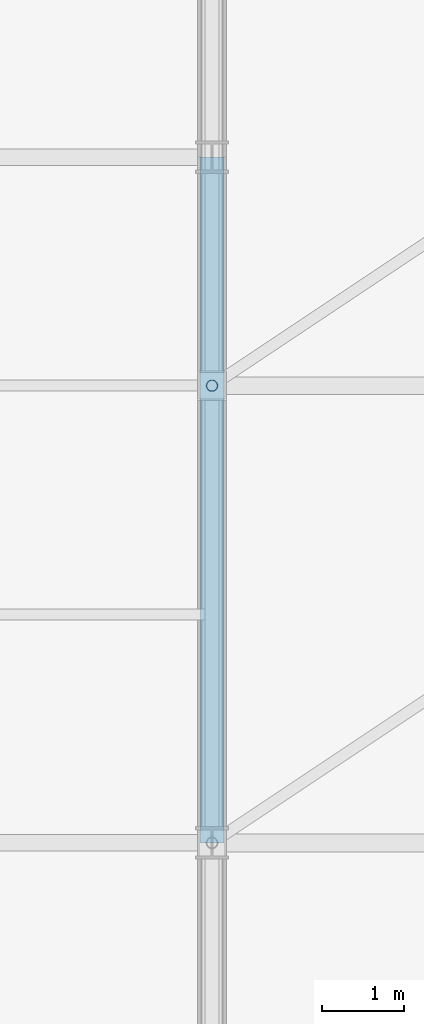
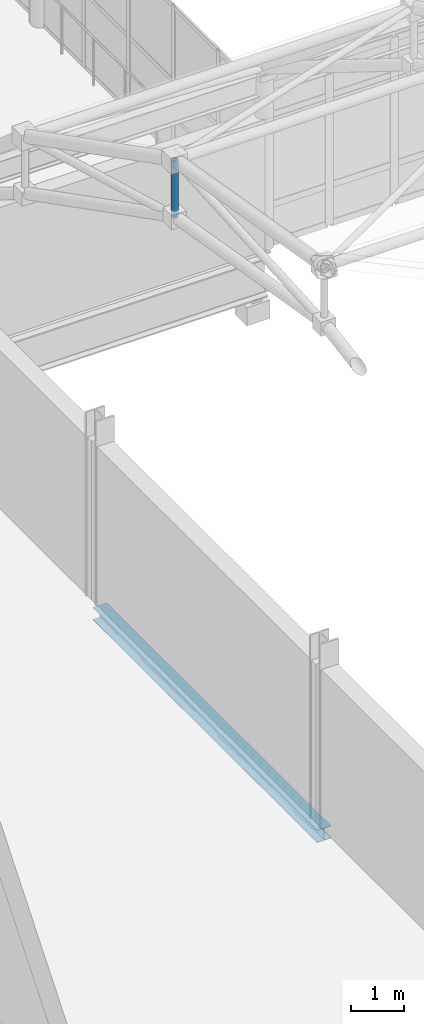
# One storey, part 40 of 184: 1 beam, 1 member.
"""IFC4 building model written with IfcOpenShell, lengths in metres."""

from ifc_helpers import new_model, si_unit, direction, frame, origin, origin_2d, place, context, subcontext, project, spatial, hollow_circle, i_section, extrude, material, material_profile, profile_set, type_object, element, save


model = new_model("IFC4")

# Units and contexts
model_context = context("Model", 3, precision=1e-05, world=origin(), true_north=direction((0.0, 1.0)))
body_context = subcontext(model_context, "Body", "Model", "MODEL_VIEW")
ifc_project = project(units=[si_unit("LENGTHUNIT", "METRE"), si_unit("AREAUNIT", "SQUARE_METRE"), si_unit("VOLUMEUNIT", "CUBIC_METRE"), si_unit("PLANEANGLEUNIT", "RADIAN"), si_unit("MASSUNIT", "GRAM", prefix="KILO")], contexts=[model_context])

# Site, building, storey
site_placement = place(None, origin())
site = spatial("IfcSite", under=ifc_project, at=site_placement, CompositionType="ELEMENT")
building_placement = place(site_placement, origin())
building = spatial("IfcBuilding", under=site, at=building_placement, Name="Qalvenar Corner Mobility Hub", CompositionType="ELEMENT")
storey_placement = place(building_placement, frame((0.0, 0.0, 9.0)))
storey = spatial("IfcBuildingStorey", under=building, at=storey_placement, Name="L02", CompositionType="ELEMENT", Elevation=9.0)

# Beam
ifc_material_1 = material(Name="Steel S355", Category="steel")
ifc_material_profile_1 = material_profile(ifc_material_1, i_section(OverallWidth=0.300048828125, OverallDepth=0.2900390625, WebThickness=0.008544921875, FlangeThickness=0.013916015625, FilletRadius=0.027099609375, at=origin_2d()), Name="HEA300")
ifc_profile_set_1 = profile_set([ifc_material_profile_1], Name="Steel S355")
beam_type = type_object("IfcBeamType", Name="BM-SPN300", PredefinedType="SPANDREL", material=ifc_profile_set_1)
beam_placement = place(storey_placement, frame((50.39990234375, 16.800048828125, -0.324951171875), z_axis=(0.0, 1.0, 0.0), x_axis=(-1.0, 0.0, 0.0)))
element("IfcBeam", 1, at=beam_placement, inside=storey, type_object=beam_type, Name="Primary Steel Girder GY-1609", PredefinedType="SPANDREL", context=body_context, shape_type="SweptSolid", body=[
    extrude(i_section(OverallWidth=0.300048828125, OverallDepth=0.2900390625, WebThickness=0.008544921875, FlangeThickness=0.013916015625, FilletRadius=0.027099609375, at=origin_2d()), origin(), (0.0, 0.0, 1.0), 8.39990234375),
])

# Member
ifc_material_2 = material(Name="Steel S355", Category="steel")
ifc_material_profile_2 = material_profile(ifc_material_2, hollow_circle(Radius=0.06982421875, WallThickness=0.0048828125, at=origin_2d()), Name="CHS139.7x5")
ifc_profile_set_2 = profile_set([ifc_material_profile_2], Name="Steel S355")
member_type = type_object("IfcMemberType", Name="SF-STR139", PredefinedType="STRUT", material=ifc_profile_set_2)
member_placement = place(storey_placement, frame((50.39990234375, 22.39990234375, 10.404296875), z_axis=(0.0, 0.0, 1.0), x_axis=(1.0, 0.0, 0.0)))
element("IfcMember", 2, at=member_placement, inside=storey, type_object=member_type, Name="Space Frame King Strut SFV-0020", PredefinedType="STRUT", context=body_context, shape_type="SweptSolid", body=[
    extrude(hollow_circle(Radius=0.06982421875, WallThickness=0.0048828125, at=origin_2d()), origin(), (0.0, 0.0, 1.0), 1.300048828125),
])

save(model, "model.ifc")
